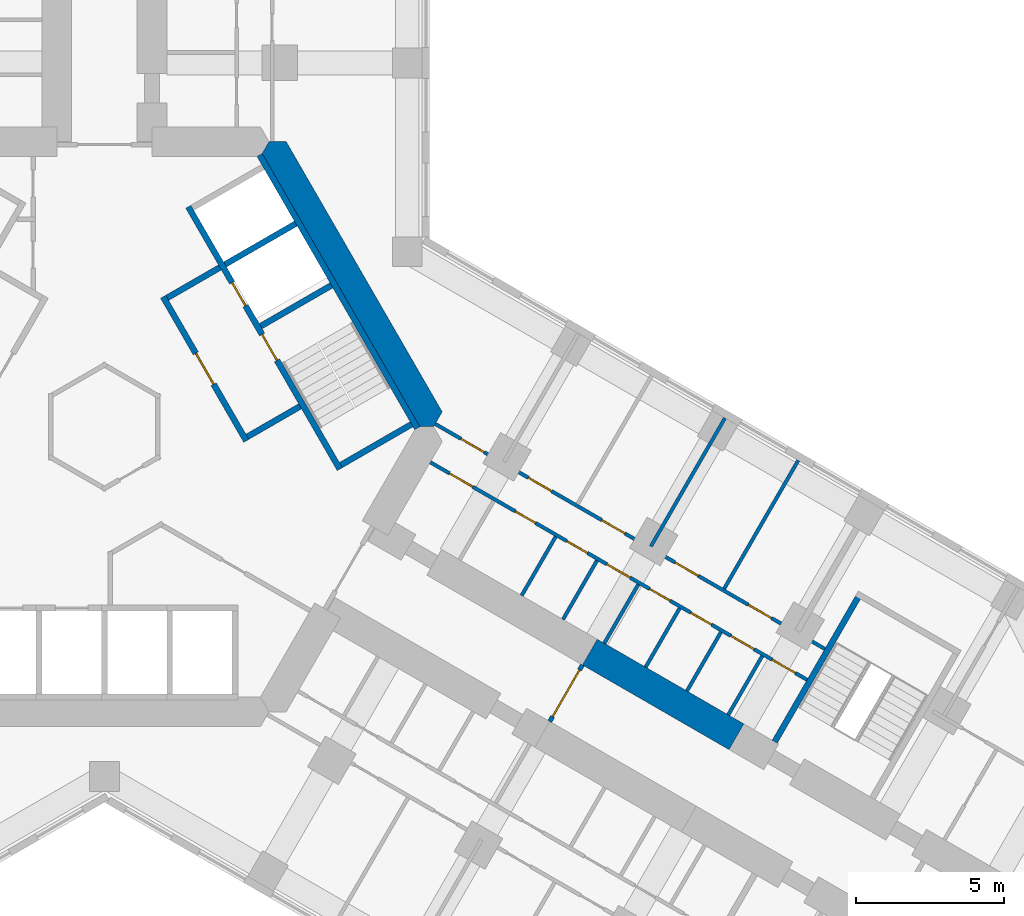
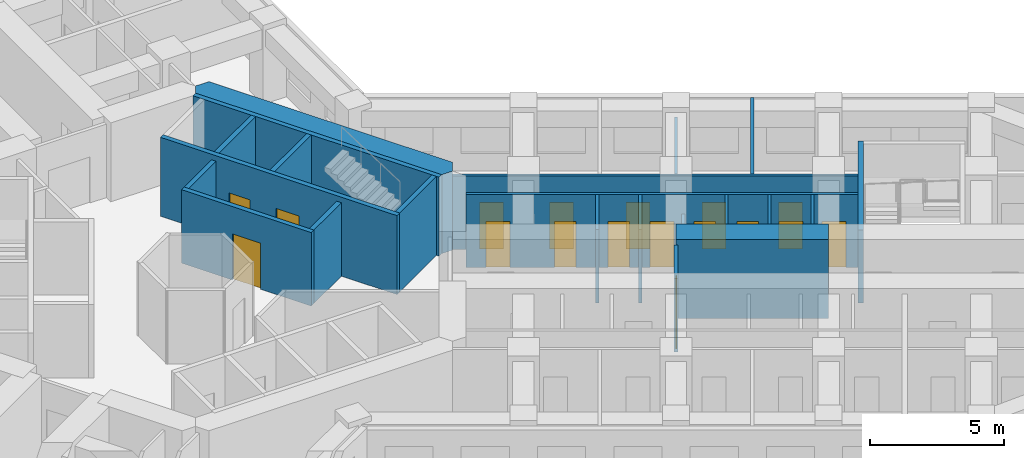
# One storey, part 16 of 21: 22 walls, 17 doors, 17 openings.
"""IFC4 building model written with IfcOpenShell, lengths in metres."""

from ifc_helpers import new_model, si_unit, direction, frame, frame_2d, origin, place, context, subcontext, project, spatial, polyline, rectangle, outline, extrude, material, layer, layer_set, type_object, element, fill, save


model = new_model("IFC4")

# Units and contexts
model_context = context("Model", 3, precision=1e-05, world=origin(), true_north=direction((0.0, 1.0)))
body_context = subcontext(model_context, "Body", "Model", "MODEL_VIEW")
ifc_project = project(units=[si_unit("LENGTHUNIT", "METRE"), si_unit("AREAUNIT", "SQUARE_METRE"), si_unit("VOLUMEUNIT", "CUBIC_METRE"), si_unit("PLANEANGLEUNIT", "RADIAN"), si_unit("MASSUNIT", "GRAM", prefix="KILO")], contexts=[model_context])

# Site, building, storey
site_placement = place(None, origin())
site = spatial("IfcSite", under=ifc_project, at=site_placement, CompositionType="ELEMENT")
building_placement = place(site_placement, origin())
building = spatial("IfcBuilding", under=site, at=building_placement, Name="Kosmar Iwan School Tower", CompositionType="ELEMENT")
storey_placement = place(building_placement, frame((0.0, 0.0, 57.39990234375)))
storey = spatial("IfcBuildingStorey", under=building, at=storey_placement, Name="L13", CompositionType="ELEMENT", Elevation=57.39990234375)

# Walls
ifc_material_1 = material(Name="Concrete C50/60", Category="concrete")
ifc_layer_1 = layer(ifc_material_1, 1.0)
ifc_layer_set_1 = layer_set([ifc_layer_1], Name="Core wall 1000")
wall_type_1 = type_object("IfcWallType", Name="Core wall 1000", PredefinedType="SHEAR", material=ifc_layer_set_1)
wall_1_placement = place(storey_placement, origin())
element("IfcWall", 1, at=wall_1_placement, inside=storey, type_object=wall_type_1, Name="Core wall F030", PredefinedType="SHEAR", context=body_context, shape_type="SweptSolid", body=[
    extrude(outline(polyline([(10.5078125, 0.0), (11.085205078125, 0.0), (11.373779296875, 0.5), (6.119873046875, 9.60009765625), (5.54248046875, 9.60009765625), (5.25390625, 9.10009765625), (10.5078125, 0.0)])), origin(), (0.0, 0.0, 1.0), 3.60009765625),
])
ifc_material_2 = material(Name="Concrete C50/60", Category="concrete")
ifc_layer_2 = layer(ifc_material_2, 1.0)
ifc_layer_set_2 = layer_set([ifc_layer_2], Name="Corridor buttress wall 1000")
wall_type_2 = type_object("IfcWallType", Name="Corridor buttress wall 1000", PredefinedType="SHEAR", material=ifc_layer_set_2)
wall_2_placement = place(storey_placement, frame((16.34521484375, -7.58935546875, 0.0), z_axis=(0.0, 0.0, 1.0), x_axis=(0.866015111908, -0.50001782563, 0.0)))
element("IfcWall", 2, at=wall_2_placement, inside=storey, type_object=wall_type_2, Name="Corridor wall CL bay 2", PredefinedType="SHEAR", context=body_context, shape_type="SweptSolid", body=[
    extrude(rectangle(XDim=5.699951171875, YDim=1.0, at=frame_2d((2.85009765625, 0.0))), origin(), (0.0, 0.0, 1.0), 3.60009765625),
])

# Wall, opening, door
ifc_material_3 = material(Name="Gypsum board on steel studs, fire-rated", Category="steel")
ifc_layer_3 = layer(ifc_material_3, 0.14990234375)
ifc_layer_set_3 = layer_set([ifc_layer_3], Name="Corridor end wall 150")
wall_type_3 = type_object("IfcWallType", Name="Corridor end wall 150", PredefinedType="PARTITIONING", material=ifc_layer_set_3)
wall_3_placement = place(storey_placement, frame((14.9951171875, -9.927734375, 0.0), z_axis=(0.0, 0.0, 1.0), x_axis=(0.50002983664, 0.866008176907, 0.0)))
wall_3 = element("IfcWall", 3, at=wall_3_placement, inside=storey, type_object=wall_type_3, Name="Partition L13-C-HW", PredefinedType="PARTITIONING", context=body_context, shape_type="SweptSolid", body=[
    extrude(rectangle(XDim=2.199951171875, YDim=0.14990234375, at=frame_2d((1.10009765625, 0.0))), origin(), (0.0, 0.0, 1.0), 3.35009765625),
])
opening_1_placement = place(wall_3_placement, frame((0.199951171875, 0.0, 0.0)))
opening_1 = element("IfcOpeningElement", 4, at=opening_1_placement, cuts=wall_3, Name="Opening D9", PredefinedType="OPENING", context=body_context, shape_type="SweptSolid", body=[
    extrude(rectangle(XDim=1.800048828125, YDim=2.10009765625, at=frame_2d((0.89990234375, 1.050048828125))), frame((0.0, 0.0869140625, 0.0), z_axis=(0.0, -1.0, 0.0), x_axis=(1.0, 0.0, 0.0)), (0.0, 0.0, 1.0), 0.173828125),
])
ifc_material_4 = material(Name="Steel framed glazed smoke door", Category="steel")
door_type_1 = type_object("IfcDoorType", Name="Corridor smoke door pair 1800x2100", OperationType="DOUBLE_DOOR_DOUBLE_SWING", PredefinedType="DOOR", material=ifc_material_4)
door_1_placement = place(opening_1_placement, origin())
door_1 = element("IfcDoor", 5, at=door_1_placement, inside=storey, type_object=door_type_1, Name="Entrance vestibule smoke doors L13-C", OperationType="DOUBLE_DOOR_DOUBLE_SWING", OverallHeight=2.10009765625, OverallWidth=1.800048828125, PredefinedType="DOOR", context=body_context, shape_type="SweptSolid", body=[
    extrude(rectangle(XDim=1.800048828125, YDim=2.10009765625, at=frame_2d((0.89990234375, 1.050048828125))), frame((0.0, 0.02490234375, 0.0), z_axis=(0.0, -1.0, 0.0), x_axis=(1.0, 0.0, 0.0)), (0.0, 0.0, 1.0), 0.050048828125),
])
fill(opening_1, door_1)

# Wall, openings, doors
ifc_material_5 = material(Name="Gypsum board on steel studs", Category="steel")
ifc_layer_4 = layer(ifc_material_5, 0.1201171875)
ifc_layer_set_4 = layer_set([ifc_layer_4], Name="Dwelling partition 120")
wall_type_4 = type_object("IfcWallType", Name="Dwelling partition 120", PredefinedType="PARTITIONING", material=ifc_layer_set_4)
wall_4_placement = place(storey_placement, frame((10.971923828125, -1.1962890625, 0.0), z_axis=(0.0, 0.0, 1.0), x_axis=(0.866026568746, -0.499997982221, 0.0)))
wall_4 = element("IfcWall", 6, at=wall_4_placement, inside=storey, type_object=wall_type_4, Name="Partition L13-CL1-W1", PredefinedType="PARTITIONING", context=body_context, shape_type="SweptSolid", body=[
    extrude(rectangle(XDim=14.64990234375, YDim=0.1201171875, at=frame_2d((7.324951171875, 0.0))), origin(), (0.0, 0.0, 1.0), 3.35009765625),
])
opening_2_placement = place(wall_4_placement, frame((0.75, 0.0, 0.0)))
opening_2 = element("IfcOpeningElement", 7, at=opening_2_placement, cuts=wall_4, Name="Opening D2", PredefinedType="OPENING", context=body_context, shape_type="SweptSolid", body=[
    extrude(rectangle(XDim=0.89990234375, YDim=2.10009765625, at=frame_2d((0.449951171875, 1.050048828125))), frame((0.0, 0.072021484375, 0.0), z_axis=(0.0, -1.0, 0.0), x_axis=(1.0, 0.0, 0.0)), (0.0, 0.0, 1.0), 0.14404296875),
])
opening_3_placement = place(wall_4_placement, frame((3.304931640625, 0.0, 0.0)))
opening_3 = element("IfcOpeningElement", 8, at=opening_3_placement, cuts=wall_4, Name="Opening D3", PredefinedType="OPENING", context=body_context, shape_type="SweptSolid", body=[
    extrude(rectangle(XDim=0.800048828125, YDim=2.10009765625, at=frame_2d((0.39990234375, 1.050048828125))), frame((0.0, 0.072021484375, 0.0), z_axis=(0.0, -1.0, 0.0), x_axis=(1.0, 0.0, 0.0)), (0.0, 0.0, 1.0), 0.14404296875),
])
opening_4_placement = place(wall_4_placement, frame((5.313232421875, 0.0, 0.0)))
opening_4 = element("IfcOpeningElement", 9, at=opening_4_placement, cuts=wall_4, Name="Opening D3", PredefinedType="OPENING", context=body_context, shape_type="SweptSolid", body=[
    extrude(rectangle(XDim=0.800048828125, YDim=2.10009765625, at=frame_2d((0.39990234375, 1.050048828125))), frame((0.0, 0.072021484375, 0.0), z_axis=(0.0, -1.0, 0.0), x_axis=(1.0, 0.0, 0.0)), (0.0, 0.0, 1.0), 0.14404296875),
])
opening_5_placement = place(wall_4_placement, frame((6.8701171875, 0.0, 0.0)))
opening_5 = element("IfcOpeningElement", 10, at=opening_5_placement, cuts=wall_4, Name="Opening D2", PredefinedType="OPENING", context=body_context, shape_type="SweptSolid", body=[
    extrude(rectangle(XDim=0.89990234375, YDim=2.10009765625, at=frame_2d((0.449951171875, 1.050048828125))), frame((0.0, 0.072021484375, 0.0), z_axis=(0.0, -1.0, 0.0), x_axis=(1.0, 0.0, 0.0)), (0.0, 0.0, 1.0), 0.14404296875),
])
opening_6_placement = place(wall_4_placement, frame((8.526611328125, 0.0, 0.0)))
opening_6 = element("IfcOpeningElement", 11, at=opening_6_placement, cuts=wall_4, Name="Opening D3", PredefinedType="OPENING", context=body_context, shape_type="SweptSolid", body=[
    extrude(rectangle(XDim=0.800048828125, YDim=2.10009765625, at=frame_2d((0.39990234375, 1.050048828125))), frame((0.0, 0.072021484375, 0.0), z_axis=(0.0, -1.0, 0.0), x_axis=(1.0, 0.0, 0.0)), (0.0, 0.0, 1.0), 0.14404296875),
])
opening_7_placement = place(wall_4_placement, frame((10.13330078125, 0.0, 0.0)))
opening_7 = element("IfcOpeningElement", 12, at=opening_7_placement, cuts=wall_4, Name="Opening D3", PredefinedType="OPENING", context=body_context, shape_type="SweptSolid", body=[
    extrude(rectangle(XDim=0.800048828125, YDim=2.10009765625, at=frame_2d((0.39990234375, 1.050048828125))), frame((0.0, 0.072021484375, 0.0), z_axis=(0.0, -1.0, 0.0), x_axis=(1.0, 0.0, 0.0)), (0.0, 0.0, 1.0), 0.14404296875),
])
opening_8_placement = place(wall_4_placement, frame((11.68994140625, 0.0, 0.0)))
opening_8 = element("IfcOpeningElement", 13, at=opening_8_placement, cuts=wall_4, Name="Opening D2", PredefinedType="OPENING", context=body_context, shape_type="SweptSolid", body=[
    extrude(rectangle(XDim=0.89990234375, YDim=2.10009765625, at=frame_2d((0.449951171875, 1.050048828125))), frame((0.0, 0.072021484375, 0.0), z_axis=(0.0, -1.0, 0.0), x_axis=(1.0, 0.0, 0.0)), (0.0, 0.0, 1.0), 0.14404296875),
])
opening_9_placement = place(wall_4_placement, frame((13.296630859375, 0.0, 0.0)))
opening_9 = element("IfcOpeningElement", 14, at=opening_9_placement, cuts=wall_4, Name="Opening D2", PredefinedType="OPENING", context=body_context, shape_type="SweptSolid", body=[
    extrude(rectangle(XDim=0.89990234375, YDim=2.10009765625, at=frame_2d((0.449951171875, 1.050048828125))), frame((0.0, 0.072021484375, 0.0), z_axis=(0.0, -1.0, 0.0), x_axis=(1.0, 0.0, 0.0)), (0.0, 0.0, 1.0), 0.14404296875),
])
ifc_material_6 = material(Name="Timber door in timber frame", Category="wood")
door_type_2 = type_object("IfcDoorType", Name="Internal door 900x2100", OperationType="SINGLE_SWING_LEFT", PredefinedType="DOOR", material=ifc_material_6)
door_2_placement = place(opening_2_placement, origin())
door_2 = element("IfcDoor", 15, at=door_2_placement, inside=storey, type_object=door_type_2, Name="Entrance hall door L13-CL1-S1", OperationType="SINGLE_SWING_LEFT", OverallHeight=2.10009765625, OverallWidth=0.89990234375, PredefinedType="DOOR", context=body_context, shape_type="SweptSolid", body=[
    extrude(rectangle(XDim=0.89990234375, YDim=2.10009765625, at=frame_2d((0.449951171875, 1.050048828125))), frame((0.0, 0.02490234375, 0.0), z_axis=(0.0, -1.0, 0.0), x_axis=(1.0, 0.0, 0.0)), (0.0, 0.0, 1.0), 0.050048828125),
])
fill(opening_2, door_2)
door_3_placement = place(opening_5_placement, origin())
door_3 = element("IfcDoor", 16, at=door_3_placement, inside=storey, type_object=door_type_2, Name="Pantry door L13-CL1-S4", OperationType="SINGLE_SWING_LEFT", OverallHeight=2.10009765625, OverallWidth=0.89990234375, PredefinedType="DOOR", context=body_context, shape_type="SweptSolid", body=[
    extrude(rectangle(XDim=0.89990234375, YDim=2.10009765625, at=frame_2d((0.449951171875, 1.050048828125))), frame((0.0, 0.02490234375, 0.0), z_axis=(0.0, -1.0, 0.0), x_axis=(1.0, 0.0, 0.0)), (0.0, 0.0, 1.0), 0.050048828125),
])
fill(opening_5, door_3)
door_4_placement = place(opening_8_placement, origin())
door_4 = element("IfcDoor", 17, at=door_4_placement, inside=storey, type_object=door_type_2, Name="Utility room door L13-CL1-S7", OperationType="SINGLE_SWING_RIGHT", OverallHeight=2.10009765625, OverallWidth=0.89990234375, PredefinedType="DOOR", context=body_context, shape_type="SweptSolid", body=[
    extrude(rectangle(XDim=0.89990234375, YDim=2.10009765625, at=frame_2d((0.449951171875, 1.050048828125))), frame((0.0, 0.02490234375, 0.0), z_axis=(0.0, -1.0, 0.0), x_axis=(1.0, 0.0, 0.0)), (0.0, 0.0, 1.0), 0.050048828125),
])
fill(opening_8, door_4)
door_5_placement = place(opening_9_placement, frame((0.89990234375, 0.0, 0.0), z_axis=(0.0, 0.0, 1.0), x_axis=(-1.0, 0.0, 0.0)))
door_5 = element("IfcDoor", 18, at=door_5_placement, inside=storey, type_object=door_type_2, Name="Dressing room door L13-CL1-S8", OperationType="SINGLE_SWING_LEFT", OverallHeight=2.10009765625, OverallWidth=0.89990234375, PredefinedType="DOOR", context=body_context, shape_type="SweptSolid", body=[
    extrude(rectangle(XDim=0.89990234375, YDim=2.10009765625, at=frame_2d((0.449951171875, 1.050048828125))), frame((0.0, 0.02490234375, 0.0), z_axis=(0.0, -1.0, 0.0), x_axis=(1.0, 0.0, 0.0)), (0.0, 0.0, 1.0), 0.050048828125),
])
fill(opening_9, door_5)
ifc_material_7 = material(Name="Timber door in timber frame", Category="wood")
door_type_3 = type_object("IfcDoorType", Name="Sanitary room door 800x2100", OperationType="SINGLE_SWING_LEFT", PredefinedType="DOOR", material=ifc_material_7)
door_6_placement = place(opening_3_placement, origin())
door_6 = element("IfcDoor", 19, at=door_6_placement, inside=storey, type_object=door_type_3, Name="Bathroom door L13-CL1-S2", OperationType="SINGLE_SWING_LEFT", OverallHeight=2.10009765625, OverallWidth=0.800048828125, PredefinedType="DOOR", context=body_context, shape_type="SweptSolid", body=[
    extrude(rectangle(XDim=0.800048828125, YDim=2.10009765625, at=frame_2d((0.39990234375, 1.050048828125))), frame((0.0, 0.02490234375, 0.0), z_axis=(0.0, -1.0, 0.0), x_axis=(1.0, 0.0, 0.0)), (0.0, 0.0, 1.0), 0.050048828125),
])
fill(opening_3, door_6)
door_7_placement = place(opening_4_placement, origin())
door_7 = element("IfcDoor", 20, at=door_7_placement, inside=storey, type_object=door_type_3, Name="Shower room door L13-CL1-S3", OperationType="SINGLE_SWING_LEFT", OverallHeight=2.10009765625, OverallWidth=0.800048828125, PredefinedType="DOOR", context=body_context, shape_type="SweptSolid", body=[
    extrude(rectangle(XDim=0.800048828125, YDim=2.10009765625, at=frame_2d((0.39990234375, 1.050048828125))), frame((0.0, 0.02490234375, 0.0), z_axis=(0.0, -1.0, 0.0), x_axis=(1.0, 0.0, 0.0)), (0.0, 0.0, 1.0), 0.050048828125),
])
fill(opening_4, door_7)
door_8_placement = place(opening_6_placement, origin())
door_8 = element("IfcDoor", 21, at=door_8_placement, inside=storey, type_object=door_type_3, Name="WC door L13-CL1-S5", OperationType="SINGLE_SWING_RIGHT", OverallHeight=2.10009765625, OverallWidth=0.800048828125, PredefinedType="DOOR", context=body_context, shape_type="SweptSolid", body=[
    extrude(rectangle(XDim=0.800048828125, YDim=2.10009765625, at=frame_2d((0.39990234375, 1.050048828125))), frame((0.0, 0.02490234375, 0.0), z_axis=(0.0, -1.0, 0.0), x_axis=(1.0, 0.0, 0.0)), (0.0, 0.0, 1.0), 0.050048828125),
])
fill(opening_6, door_8)
door_9_placement = place(opening_7_placement, origin())
door_9 = element("IfcDoor", 22, at=door_9_placement, inside=storey, type_object=door_type_3, Name="Store door L13-CL1-S6", OperationType="SINGLE_SWING_RIGHT", OverallHeight=2.10009765625, OverallWidth=0.800048828125, PredefinedType="DOOR", context=body_context, shape_type="SweptSolid", body=[
    extrude(rectangle(XDim=0.800048828125, YDim=2.10009765625, at=frame_2d((0.39990234375, 1.050048828125))), frame((0.0, 0.02490234375, 0.0), z_axis=(0.0, -1.0, 0.0), x_axis=(1.0, 0.0, 0.0)), (0.0, 0.0, 1.0), 0.050048828125),
])
fill(opening_7, door_9)

wall_5_placement = place(storey_placement, frame((11.138916015625, 0.093017578125, 0.0), z_axis=(0.0, 0.0, 1.0), x_axis=(0.866024032363, -0.500002375365, 0.0)))
wall_5 = element("IfcWall", 23, at=wall_5_placement, inside=storey, type_object=wall_type_4, Name="Partition L13-CL1-W2", PredefinedType="PARTITIONING", context=body_context, shape_type="SweptSolid", body=[
    extrude(rectangle(XDim=15.14990234375, YDim=0.1201171875, at=frame_2d((7.574951171875, 0.0))), origin(), (0.0, 0.0, 1.0), 3.35009765625),
])
opening_10_placement = place(wall_5_placement, frame((1.0, 0.0, 0.0)))
opening_10 = element("IfcOpeningElement", 24, at=opening_10_placement, cuts=wall_5, Name="Opening D2", PredefinedType="OPENING", context=body_context, shape_type="SweptSolid", body=[
    extrude(rectangle(XDim=0.89990234375, YDim=2.10009765625, at=frame_2d((0.449951171875, 1.050048828125))), frame((0.0, 0.072021484375, 0.0), z_axis=(0.0, -1.0, 0.0), x_axis=(1.0, 0.0, 0.0)), (0.0, 0.0, 1.0), 0.14404296875),
])
opening_11_placement = place(wall_5_placement, frame((3.625, 0.0, 0.0)))
opening_11 = element("IfcOpeningElement", 25, at=opening_11_placement, cuts=wall_5, Name="Opening D2", PredefinedType="OPENING", context=body_context, shape_type="SweptSolid", body=[
    extrude(rectangle(XDim=0.89990234375, YDim=2.10009765625, at=frame_2d((0.449951171875, 1.050048828125))), frame((0.0, 0.072021484375, 0.0), z_axis=(0.0, -1.0, 0.0), x_axis=(1.0, 0.0, 0.0)), (0.0, 0.0, 1.0), 0.14404296875),
])
opening_12_placement = place(wall_5_placement, frame((6.47509765625, 0.0, 0.0)))
opening_12 = element("IfcOpeningElement", 26, at=opening_12_placement, cuts=wall_5, Name="Opening D2", PredefinedType="OPENING", context=body_context, shape_type="SweptSolid", body=[
    extrude(rectangle(XDim=0.89990234375, YDim=2.10009765625, at=frame_2d((0.449951171875, 1.050048828125))), frame((0.0, 0.072021484375, 0.0), z_axis=(0.0, -1.0, 0.0), x_axis=(1.0, 0.0, 0.0)), (0.0, 0.0, 1.0), 0.14404296875),
])
opening_13_placement = place(wall_5_placement, frame((9.324951171875, 0.0, 0.0)))
opening_13 = element("IfcOpeningElement", 27, at=opening_13_placement, cuts=wall_5, Name="Opening D2", PredefinedType="OPENING", context=body_context, shape_type="SweptSolid", body=[
    extrude(rectangle(XDim=0.89990234375, YDim=2.10009765625, at=frame_2d((0.449951171875, 1.050048828125))), frame((0.0, 0.072021484375, 0.0), z_axis=(0.0, -1.0, 0.0), x_axis=(1.0, 0.0, 0.0)), (0.0, 0.0, 1.0), 0.14404296875),
])
opening_14_placement = place(wall_5_placement, frame((12.175048828125, 0.0, 0.0)))
opening_14 = element("IfcOpeningElement", 28, at=opening_14_placement, cuts=wall_5, Name="Opening D2", PredefinedType="OPENING", context=body_context, shape_type="SweptSolid", body=[
    extrude(rectangle(XDim=0.89990234375, YDim=2.10009765625, at=frame_2d((0.449951171875, 1.050048828125))), frame((0.0, 0.072021484375, 0.0), z_axis=(0.0, -1.0, 0.0), x_axis=(1.0, 0.0, 0.0)), (0.0, 0.0, 1.0), 0.14404296875),
])
door_10_placement = place(opening_10_placement, origin())
door_10 = element("IfcDoor", 29, at=door_10_placement, inside=storey, type_object=door_type_2, Name="Family room door L13-CL1-F1", OperationType="SINGLE_SWING_LEFT", OverallHeight=2.10009765625, OverallWidth=0.89990234375, PredefinedType="DOOR", context=body_context, shape_type="SweptSolid", body=[
    extrude(rectangle(XDim=0.89990234375, YDim=2.10009765625, at=frame_2d((0.449951171875, 1.050048828125))), frame((0.0, 0.02490234375, 0.0), z_axis=(0.0, -1.0, 0.0), x_axis=(1.0, 0.0, 0.0)), (0.0, 0.0, 1.0), 0.050048828125),
])
fill(opening_10, door_10)
door_11_placement = place(opening_11_placement, origin())
door_11 = element("IfcDoor", 30, at=door_11_placement, inside=storey, type_object=door_type_2, Name="Study door L13-CL1-F2", OperationType="SINGLE_SWING_RIGHT", OverallHeight=2.10009765625, OverallWidth=0.89990234375, PredefinedType="DOOR", context=body_context, shape_type="SweptSolid", body=[
    extrude(rectangle(XDim=0.89990234375, YDim=2.10009765625, at=frame_2d((0.449951171875, 1.050048828125))), frame((0.0, 0.02490234375, 0.0), z_axis=(0.0, -1.0, 0.0), x_axis=(1.0, 0.0, 0.0)), (0.0, 0.0, 1.0), 0.050048828125),
])
fill(opening_11, door_11)
door_12_placement = place(opening_12_placement, origin())
door_12 = element("IfcDoor", 31, at=door_12_placement, inside=storey, type_object=door_type_2, Name="Bedroom 1 door L13-CL1-F3", OperationType="SINGLE_SWING_LEFT", OverallHeight=2.10009765625, OverallWidth=0.89990234375, PredefinedType="DOOR", context=body_context, shape_type="SweptSolid", body=[
    extrude(rectangle(XDim=0.89990234375, YDim=2.10009765625, at=frame_2d((0.449951171875, 1.050048828125))), frame((0.0, 0.02490234375, 0.0), z_axis=(0.0, -1.0, 0.0), x_axis=(1.0, 0.0, 0.0)), (0.0, 0.0, 1.0), 0.050048828125),
])
fill(opening_12, door_12)
door_13_placement = place(opening_13_placement, origin())
door_13 = element("IfcDoor", 32, at=door_13_placement, inside=storey, type_object=door_type_2, Name="Living room and kitchen door L13-CL1-F4", OperationType="SINGLE_SWING_RIGHT", OverallHeight=2.10009765625, OverallWidth=0.89990234375, PredefinedType="DOOR", context=body_context, shape_type="SweptSolid", body=[
    extrude(rectangle(XDim=0.89990234375, YDim=2.10009765625, at=frame_2d((0.449951171875, 1.050048828125))), frame((0.0, 0.02490234375, 0.0), z_axis=(0.0, -1.0, 0.0), x_axis=(1.0, 0.0, 0.0)), (0.0, 0.0, 1.0), 0.050048828125),
])
fill(opening_13, door_13)
door_14_placement = place(opening_14_placement, origin())
door_14 = element("IfcDoor", 33, at=door_14_placement, inside=storey, type_object=door_type_2, Name="Bedroom 2 door L13-CL1-F5", OperationType="SINGLE_SWING_LEFT", OverallHeight=2.10009765625, OverallWidth=0.89990234375, PredefinedType="DOOR", context=body_context, shape_type="SweptSolid", body=[
    extrude(rectangle(XDim=0.89990234375, YDim=2.10009765625, at=frame_2d((0.449951171875, 1.050048828125))), frame((0.0, 0.02490234375, 0.0), z_axis=(0.0, -1.0, 0.0), x_axis=(1.0, 0.0, 0.0)), (0.0, 0.0, 1.0), 0.050048828125),
])
fill(opening_14, door_14)

# Walls
wall_6_placement = place(storey_placement, frame((18.400146484375, -4.030029296875, 0.0), z_axis=(0.0, 0.0, 1.0), x_axis=(0.500011847778, 0.866018563358, 0.0)))
element("IfcWall", 34, at=wall_6_placement, inside=storey, type_object=wall_type_4, Name="Partition L13-CL1-X3", PredefinedType="PARTITIONING", context=body_context, shape_type="SweptSolid", body=[
    extrude(rectangle(XDim=4.990234375, YDim=0.1201171875, at=frame_2d((2.4951171875, 0.0))), origin(), (0.0, 0.0, 1.0), 2.4501953125),
])
wall_7_placement = place(storey_placement, frame((20.868408203125, -5.455078125, 0.0), z_axis=(0.0, 0.0, 1.0), x_axis=(0.499975153383, 0.86603974851, 0.0)))
element("IfcWall", 35, at=wall_7_placement, inside=storey, type_object=wall_type_4, Name="Partition L13-CL1-X4", PredefinedType="PARTITIONING", context=body_context, shape_type="SweptSolid", body=[
    extrude(rectangle(XDim=4.989990234375, YDim=0.1201171875, at=frame_2d((2.4951171875, 0.0))), origin(), (0.0, 0.0, 1.0), 3.35009765625),
])
for number, where, z_axis, x_axis, name in (
    (36, (14.049072265625, -5.686279296875, 0.0), (0.0, 0.0, 1.0), (0.500014693593, 0.866016920268, 0.0), "Partition L13-CL1-Y2"),
    (37, (15.4404296875, -6.48974609375, 0.0), (0.0, 0.0, 1.0), (0.500014693593, 0.866016920268, 0.0), "Partition L13-CL1-Y3"),
):
    element("IfcWall", number, at=place(storey_placement, frame(where, z_axis=z_axis, x_axis=x_axis)), inside=storey, type_object=wall_type_4, Name=name, PredefinedType="PARTITIONING", context=body_context, shape_type="SweptSolid", body=[
        extrude(rectangle(XDim=2.2900390625, YDim=0.1201171875, at=frame_2d((1.14501953125, 0.0))), origin(), (0.0, 0.0, 1.0), 3.35009765625),
    ])
wall_8_placement = place(storey_placement, frame((16.831787109375, -7.29296875, 0.0), z_axis=(0.0, 0.0, 1.0), x_axis=(0.500014693593, 0.866016920268, 0.0)))
element("IfcWall", 38, at=wall_8_placement, inside=storey, type_object=wall_type_4, Name="Partition L13-CL1-Y4", PredefinedType="PARTITIONING", context=body_context, shape_type="SweptSolid", body=[
    extrude(rectangle(XDim=2.2900390625, YDim=0.1201171875, at=frame_2d((1.14501953125, 0.0))), origin(), (0.0, 0.0, 1.0), 2.4501953125),
])
wall_9_placement = place(storey_placement, frame((18.223388671875, -8.096435546875, 0.0), z_axis=(0.0, 0.0, 1.0), x_axis=(0.499968531483, 0.866043571379, 0.0)))
element("IfcWall", 39, at=wall_9_placement, inside=storey, type_object=wall_type_4, Name="Partition L13-CL1-Y5", PredefinedType="PARTITIONING", context=body_context, shape_type="SweptSolid", body=[
    extrude(rectangle(XDim=2.290283203125, YDim=0.1201171875, at=frame_2d((1.14501953125, 0.0))), origin(), (0.0, 0.0, 1.0), 3.35009765625),
])
wall_10_placement = place(storey_placement, frame((19.61474609375, -8.899658203125, 0.0), z_axis=(0.0, 0.0, 1.0), x_axis=(0.500014693593, 0.866016920268, 0.0)))
element("IfcWall", 40, at=wall_10_placement, inside=storey, type_object=wall_type_4, Name="Partition L13-CL1-Y6", PredefinedType="PARTITIONING", context=body_context, shape_type="SweptSolid", body=[
    extrude(rectangle(XDim=2.2900390625, YDim=0.1201171875, at=frame_2d((1.14501953125, 0.0))), origin(), (0.0, 0.0, 1.0), 3.35009765625),
])
wall_11_placement = place(storey_placement, frame((21.006103515625, -9.703125, 0.0), z_axis=(0.0, 0.0, 1.0), x_axis=(0.499968531483, 0.866043571379, 0.0)))
element("IfcWall", 41, at=wall_11_placement, inside=storey, type_object=wall_type_4, Name="Partition L13-CL1-Y7", PredefinedType="PARTITIONING", context=body_context, shape_type="SweptSolid", body=[
    extrude(rectangle(XDim=2.290283203125, YDim=0.1201171875, at=frame_2d((1.14501953125, 0.0))), origin(), (0.0, 0.0, 1.0), 3.35009765625),
])
ifc_material_8 = material(Name="Concrete C35/45", Category="concrete")
ifc_layer_5 = layer(ifc_material_8, 0.199951171875)
ifc_layer_set_5 = layer_set([ifc_layer_5], Name="Escape stair wall 200")
wall_type_5 = type_object("IfcWallType", Name="Escape stair wall 200", PredefinedType="SHEAR", material=ifc_layer_set_5)
wall_12_placement = place(storey_placement, frame((22.57080078125, -10.6064453125, 0.0), z_axis=(0.0, 0.0, 1.0), x_axis=(0.499987231761, 0.866032775405, 0.0)))
element("IfcWall", 42, at=wall_12_placement, inside=storey, type_object=wall_type_5, Name="Stair WS3 wall", PredefinedType="SHEAR", context=body_context, shape_type="SweptSolid", body=[
    extrude(rectangle(XDim=5.800048828125, YDim=0.199951171875, at=frame_2d((2.89990234375, 0.0))), origin(), (0.0, 0.0, 1.0), 3.330078125),
])

# Wall, opening, door
ifc_material_9 = material(Name="Concrete block masonry", Category="masonry")
ifc_layer_6 = layer(ifc_material_9, 0.199951171875)
ifc_layer_set_6 = layer_set([ifc_layer_6], Name="Fire lobby wall 200")
wall_type_6 = type_object("IfcWallType", Name="Fire lobby wall 200", PredefinedType="PARTITIONING", material=ifc_layer_set_6)
wall_13_placement = place(storey_placement, frame((4.777587890625, -0.474853515625, 0.0), z_axis=(0.0, 0.0, 1.0), x_axis=(-0.500016814911, 0.866015695474, 0.0)))
wall_13 = element("IfcWall", 43, at=wall_13_placement, inside=storey, type_object=wall_type_6, Name="Firefighting lobby wall ST1", PredefinedType="PARTITIONING", context=body_context, shape_type="SweptSolid", body=[
    extrude(rectangle(XDim=5.599853515625, YDim=0.199951171875, at=frame_2d((2.7998046875, 0.0))), origin(), (0.0, 0.0, 1.0), 3.35009765625),
])
opening_15_placement = place(wall_13_placement, frame((2.199951171875, 0.0, 0.0)))
opening_15 = element("IfcOpeningElement", 44, at=opening_15_placement, cuts=wall_13, Name="Opening D7", PredefinedType="OPENING", context=body_context, shape_type="SweptSolid", body=[
    extrude(rectangle(XDim=1.199951171875, YDim=2.10009765625, at=frame_2d((0.60009765625, 1.050048828125))), frame((0.0, 0.112060546875, 0.0), z_axis=(0.0, -1.0, 0.0), x_axis=(1.0, 0.0, 0.0)), (0.0, 0.0, 1.0), 0.223876953125),
])
ifc_material_10 = material(Name="Steel fire door", Category="steel")
door_type_4 = type_object("IfcDoorType", Name="Fire lobby door 1200x2100", OperationType="SINGLE_SWING_LEFT", PredefinedType="DOOR", material=ifc_material_10)
door_15_placement = place(opening_15_placement, origin())
door_15 = element("IfcDoor", 45, at=door_15_placement, inside=storey, type_object=door_type_4, Name="Firefighting lobby door ST1 L13", OperationType="SINGLE_SWING_RIGHT", OverallHeight=2.10009765625, OverallWidth=1.199951171875, PredefinedType="DOOR", context=body_context, shape_type="SweptSolid", body=[
    extrude(rectangle(XDim=1.199951171875, YDim=2.10009765625, at=frame_2d((0.60009765625, 1.050048828125))), frame((0.0, 0.02490234375, 0.0), z_axis=(0.0, -1.0, 0.0), x_axis=(1.0, 0.0, 0.0)), (0.0, 0.0, 1.0), 0.050048828125),
])
fill(opening_15, door_15)

# Walls
wall_14_placement = place(storey_placement, frame((4.814208984375, -0.33837890625, 0.0), z_axis=(0.0, 0.0, 1.0), x_axis=(0.865969381856, 0.500097020274, 0.0)))
element("IfcWall", 46, at=wall_14_placement, inside=storey, type_object=wall_type_6, Name="Firefighting lobby wall ST1", PredefinedType="PARTITIONING", context=body_context, shape_type="SweptSolid", body=[
    extrude(rectangle(XDim=2.0498046875, YDim=0.199951171875, at=frame_2d((1.02490234375, 0.0))), origin(), (0.0, 0.0, 1.0), 3.35009765625),
])
wall_15_placement = place(storey_placement, frame((2.114013671875, 4.33837890625, 0.0), z_axis=(0.0, 0.0, 1.0), x_axis=(0.866050731258, 0.499956128963, 0.0)))
element("IfcWall", 47, at=wall_15_placement, inside=storey, type_object=wall_type_6, Name="Firefighting lobby wall ST1", PredefinedType="PARTITIONING", context=body_context, shape_type="SweptSolid", body=[
    extrude(rectangle(XDim=2.050048828125, YDim=0.199951171875, at=frame_2d((1.02490234375, 0.0))), origin(), (0.0, 0.0, 1.0), 3.35009765625),
])

# Wall, openings, doors
ifc_material_11 = material(Name="Concrete C50/60", Category="concrete")
ifc_layer_7 = layer(ifc_material_11, 0.199951171875)
ifc_layer_set_7 = layer_set([ifc_layer_7], Name="Lift shaft wall 200")
wall_type_7 = type_object("IfcWallType", Name="Lift shaft wall 200", PredefinedType="SHEAR", material=ifc_layer_set_7)
wall_16_placement = place(storey_placement, frame((7.926025390625, -1.42822265625, 0.0), z_axis=(0.0, 0.0, 1.0), x_axis=(-0.499998023675, 0.866026544813, 0.0)))
wall_16 = element("IfcWall", 48, at=wall_16_placement, inside=storey, type_object=wall_type_7, Name="Lift and stair front wall AC", PredefinedType="SHEAR", context=body_context, shape_type="SweptSolid", body=[
    extrude(rectangle(XDim=10.19970703125, YDim=0.199951171875, at=frame_2d((5.099853515625, 0.0))), origin(), (0.0, 0.0, 1.0), 3.60009765625),
])
opening_16_placement = place(wall_16_placement, frame((6.35009765625, 0.0, 0.0)))
opening_16 = element("IfcOpeningElement", 49, at=opening_16_placement, cuts=wall_16, Name="Opening LD2", PredefinedType="OPENING", context=body_context, shape_type="SweptSolid", body=[
    extrude(rectangle(XDim=0.89990234375, YDim=2.10009765625, at=frame_2d((0.449951171875, 1.050048828125))), frame((0.0, 0.112060546875, 0.0), z_axis=(0.0, -1.0, 0.0), x_axis=(1.0, 0.0, 0.0)), (0.0, 0.0, 1.0), 0.223876953125),
])
opening_17_placement = place(wall_16_placement, frame((4.22998046875, 0.0, 0.0)))
opening_17 = element("IfcOpeningElement", 50, at=opening_17_placement, cuts=wall_16, Name="Opening D6", PredefinedType="OPENING", context=body_context, shape_type="SweptSolid", body=[
    extrude(rectangle(XDim=1.0, YDim=2.10009765625, at=frame_2d((0.5, 1.050048828125))), frame((0.0, 0.112060546875, 0.0), z_axis=(0.0, -1.0, 0.0), x_axis=(1.0, 0.0, 0.0)), (0.0, 0.0, 1.0), 0.223876953125),
])
ifc_material_12 = material(Name="Stainless steel sliding lift door", Category="steel")
door_type_5 = type_object("IfcDoorType", Name="Firefighting lift landing door 900x2100", OperationType="SLIDING_TO_LEFT", PredefinedType="DOOR", material=ifc_material_12)
door_16_placement = place(opening_16_placement, origin())
door_16 = element("IfcDoor", 51, at=door_16_placement, inside=storey, type_object=door_type_5, Name="Lift FF1 landing door L13", OperationType="SLIDING_TO_LEFT", OverallHeight=2.10009765625, OverallWidth=0.89990234375, PredefinedType="DOOR", context=body_context, shape_type="SweptSolid", body=[
    extrude(rectangle(XDim=0.89990234375, YDim=2.10009765625, at=frame_2d((0.449951171875, 1.050048828125))), frame((0.0, 0.02490234375, 0.0), z_axis=(0.0, -1.0, 0.0), x_axis=(1.0, 0.0, 0.0)), (0.0, 0.0, 1.0), 0.050048828125),
])
fill(opening_16, door_16)
ifc_material_13 = material(Name="Steel fire door", Category="steel")
door_type_6 = type_object("IfcDoorType", Name="Stair door 1000x2100", OperationType="SINGLE_SWING_LEFT", PredefinedType="DOOR", material=ifc_material_13)
door_17_placement = place(opening_17_placement, origin())
door_17 = element("IfcDoor", 52, at=door_17_placement, inside=storey, type_object=door_type_6, Name="Stair ST1 door L13", OperationType="SINGLE_SWING_LEFT", OverallHeight=2.10009765625, OverallWidth=1.0, PredefinedType="DOOR", context=body_context, shape_type="SweptSolid", body=[
    extrude(rectangle(XDim=1.0, YDim=2.10009765625, at=frame_2d((0.5, 1.050048828125))), frame((0.0, 0.02490234375, 0.0), z_axis=(0.0, -1.0, 0.0), x_axis=(1.0, 0.0, 0.0)), (0.0, 0.0, 1.0), 0.050048828125),
])
fill(opening_17, door_17)

# Walls
wall_17_placement = place(storey_placement, frame((10.53662109375, -0.050048828125, 0.0), z_axis=(0.0, 0.0, 1.0), x_axis=(-0.499994998079, 0.866028291626, 0.0)))
element("IfcWall", 53, at=wall_17_placement, inside=storey, type_object=wall_type_7, Name="Lift and stair back wall AC", PredefinedType="SHEAR", context=body_context, shape_type="SweptSolid", body=[
    extrude(rectangle(XDim=10.623046875, YDim=0.199951171875, at=frame_2d((5.3115234375, 0.0))), origin(), (0.0, 0.0, 1.0), 3.60009765625),
])
wall_18_placement = place(storey_placement, frame((4.062744140625, 5.46337890625, 0.0), z_axis=(0.0, 0.0, 1.0), x_axis=(0.866027397988, 0.499996545922, 0.0)))
element("IfcWall", 54, at=wall_18_placement, inside=storey, type_object=wall_type_7, Name="Lift shaft wall AC 1", PredefinedType="SHEAR", context=body_context, shape_type="SweptSolid", body=[
    extrude(rectangle(XDim=2.75, YDim=0.199951171875, at=frame_2d((1.375, 0.0))), origin(), (0.0, 0.0, 1.0), 3.60009765625),
])
ifc_material_14 = material(Name="Concrete C50/60", Category="concrete")
ifc_layer_8 = layer(ifc_material_14, 0.199951171875)
ifc_layer_set_8 = layer_set([ifc_layer_8], Name="Stair enclosure wall 200")
wall_type_8 = type_object("IfcWallType", Name="Stair enclosure wall 200", PredefinedType="SHEAR", material=ifc_layer_set_8)
for number, where, z_axis, x_axis, name in (
    (55, (7.962646484375, -1.291748046875, 0.0), (0.0, 0.0, 1.0), (0.866027397988, 0.499996545922, 0.0), "Stair ST1 wall"),
    (56, (5.2626953125, 3.384765625, 0.0), (0.0, 0.0, 1.0), (0.866027397988, 0.499996545922, 0.0), "Stair ST1 wall"),
):
    element("IfcWall", number, at=place(storey_placement, frame(where, z_axis=z_axis, x_axis=x_axis)), inside=storey, type_object=wall_type_8, Name=name, PredefinedType="SHEAR", context=body_context, shape_type="SweptSolid", body=[
        extrude(rectangle(XDim=2.75, YDim=0.199951171875, at=frame_2d((1.375, 0.0))), origin(), (0.0, 0.0, 1.0), 3.60009765625),
    ])

save(model, "model.ifc")
